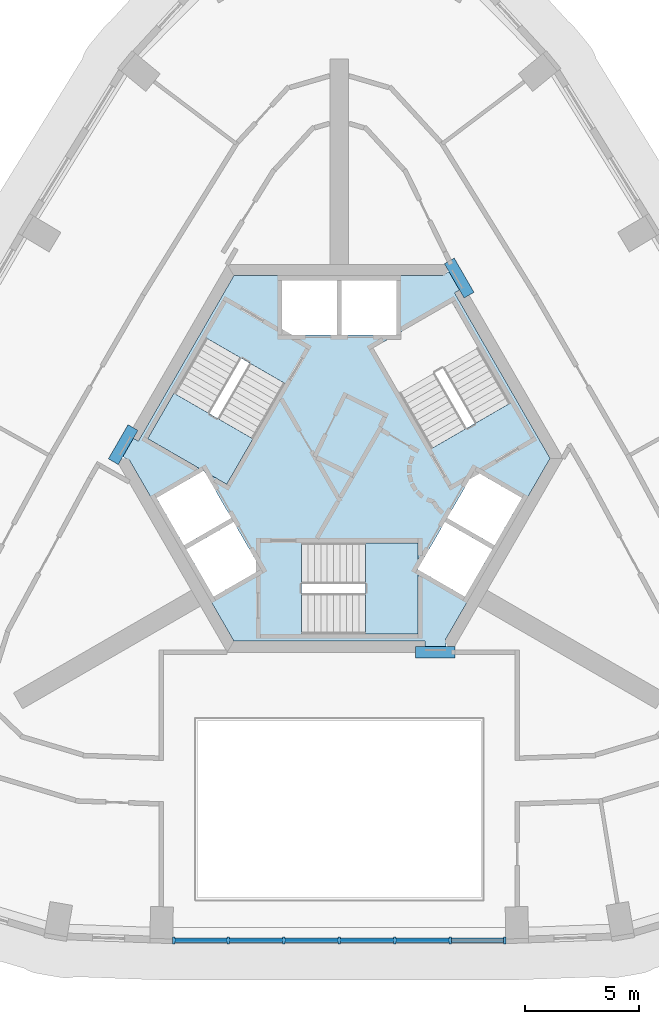
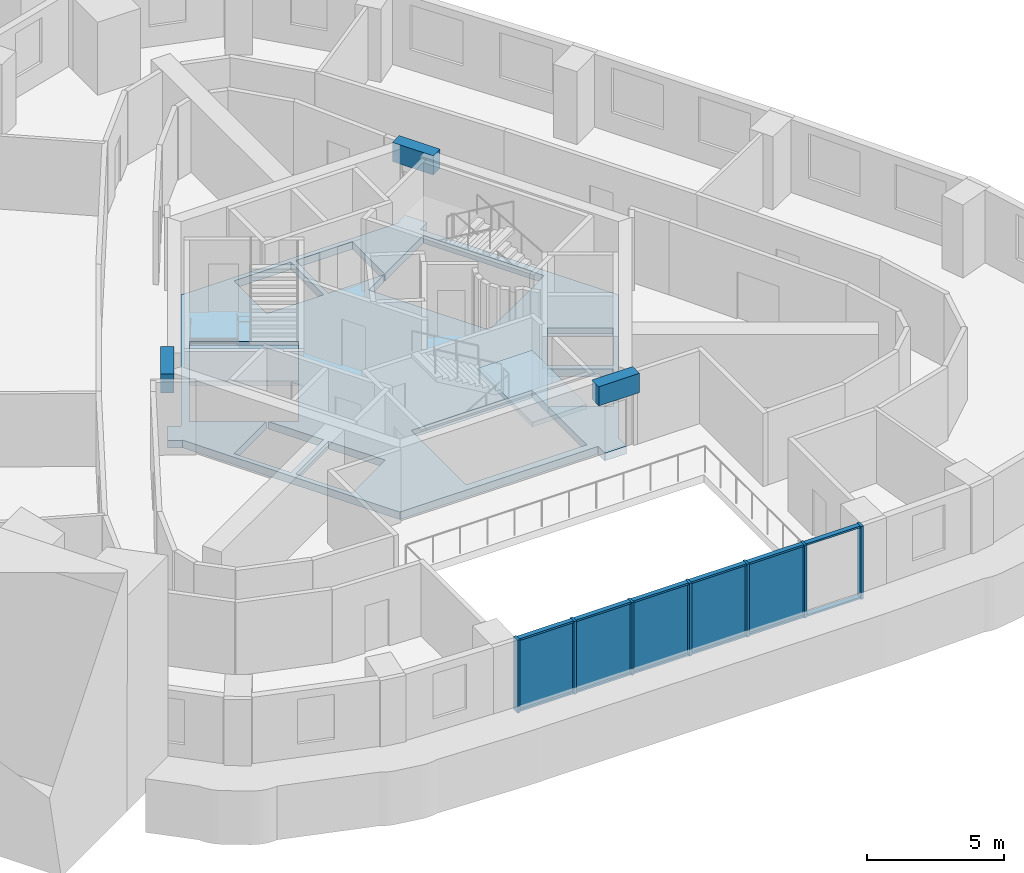
# One storey, part 2 of 11: 19 members, 5 plates, 3 beams, 3 slabs, 3 elements without a shape of their own.
"""IFC4 building model written with IfcOpenShell, lengths in metres."""

from ifc_helpers import new_model, si_unit, direction, frame, origin, origin_2d, place, context, subcontext, project, spatial, polyline, rectangle, outline, extrude, material, layer, layer_set, material_profile, profile_set, type_object, element, aggregate, save


model = new_model("IFC4")

# Units and contexts
model_context = context("Model", 3, precision=1e-05, world=origin(), true_north=direction((0.0, 1.0)))
body_context = subcontext(model_context, "Body", "Model", "MODEL_VIEW")
ifc_project = project(units=[si_unit("LENGTHUNIT", "METRE"), si_unit("AREAUNIT", "SQUARE_METRE"), si_unit("VOLUMEUNIT", "CUBIC_METRE"), si_unit("PLANEANGLEUNIT", "RADIAN"), si_unit("MASSUNIT", "GRAM", prefix="KILO")], contexts=[model_context])

# Site, building, storey
site_placement = place(None, origin())
site = spatial("IfcSite", under=ifc_project, at=site_placement, CompositionType="ELEMENT")
building_placement = place(site_placement, origin())
building = spatial("IfcBuilding", under=site, at=building_placement, Name="Entoto Arch Interchange Tower", CompositionType="ELEMENT")
storey_placement = place(building_placement, frame((0.0, 0.0, 308.0)))
storey = spatial("IfcBuildingStorey", under=building, at=storey_placement, Name="L72", CompositionType="ELEMENT", Elevation=308.0)

# Beams
ifc_material_1 = material(Name="Concrete C40/50", Category="concrete")
ifc_material_profile_1 = material_profile(ifc_material_1, rectangle(XDim=0.5, YDim=0.860107421875, at=origin_2d()))
ifc_profile_set_1 = profile_set([ifc_material_profile_1], Name="Concrete C40/50")
beam_type = type_object("IfcBeamType", Name="Coupling beam RC 500x860 C40/50", PredefinedType="BEAM", material=ifc_profile_set_1)
for number, where, z_axis, x_axis, name in (
    (1, (5.68603515625, 9.65087890625, 2.830078125), (-0.500105721196, 0.865964357019, 0.0), (-0.865964357019, -0.500105721196, 0.0), "Coupling beam NE L72"),
    (2, (-9.035888671875, 3.84912109375, 2.830078125), (-0.500105721196, -0.865964357019, 0.0), (0.865964357019, -0.500105721196, 0.0), "Coupling beam NW L72"),
):
    element("IfcBeam", number, at=place(storey_placement, frame(where, z_axis=z_axis, x_axis=x_axis)), inside=storey, type_object=beam_type, Name=name, PredefinedType="BEAM", context=body_context, shape_type="SweptSolid", body=[
        extrude(rectangle(XDim=0.5, YDim=0.860107421875, at=origin_2d()), origin(), (0.0, 0.0, 1.0), 1.727783203125),
    ])
beam_placement = place(storey_placement, frame((3.35009765625, -6.0, 2.830078125), z_axis=(1.0, 0.0, 0.0), x_axis=(0.0, 1.0, 0.0)))
element("IfcBeam", 3, at=beam_placement, inside=storey, type_object=beam_type, Name="Coupling beam S L72", PredefinedType="BEAM", context=body_context, shape_type="SweptSolid", body=[
    extrude(rectangle(XDim=0.5, YDim=0.860107421875, at=origin_2d()), origin(), (0.0, 0.0, 1.0), 1.725830078125),
])

# Curtain wall, members
ifc_material_2 = material(Name="Aluminium, anodised", Category="aluminium")
curtain_wall_type = type_object("IfcCurtainWallType", Name="CURTAIN WALL ATRIUM", PredefinedType="NOTDEFINED", material=ifc_material_2)
curtain_wall_placement = place(storey_placement, origin())
curtain_wall = element("IfcCurtainWall", 4, at=curtain_wall_placement, inside=storey, type_object=curtain_wall_type, Name="Atrium glazing S-02 L72", PredefinedType="NOTDEFINED")
ifc_material_profile_2 = material_profile(ifc_material_2, rectangle(XDim=0.300048828125, YDim=0.10009765625, at=origin_2d()))
ifc_profile_set_2 = profile_set([ifc_material_profile_2], Name="Aluminium, anodised")
member_type_1 = type_object("IfcMemberType", Name="MULLION ATRIUM 100x300", PredefinedType="MULLION", material=ifc_profile_set_2)
member_1_placement = place(storey_placement, frame((-7.248046875, -18.62109375, 0.0), z_axis=(0.0, 0.0, 1.0), x_axis=(0.0, 1.0, 0.0)))
member_1 = element("IfcMember", 5, at=member_1_placement, type_object=member_type_1, Name="CWA mullion 1", PredefinedType="MULLION", context=body_context, shape_type="SweptSolid", body=[
    extrude(rectangle(XDim=0.300048828125, YDim=0.10009765625, at=origin_2d()), origin(), (0.0, 0.0, 1.0), 3.260009765625),
])
member_2_placement = place(storey_placement, frame((-4.865234375, -18.62109375, 0.0), z_axis=(0.0, 0.0, 1.0), x_axis=(0.0, 1.0, 0.0)))
member_2 = element("IfcMember", 6, at=member_2_placement, type_object=member_type_1, Name="CWA mullion 2", PredefinedType="MULLION", context=body_context, shape_type="SweptSolid", body=[
    extrude(rectangle(XDim=0.300048828125, YDim=0.10009765625, at=origin_2d()), origin(), (0.0, 0.0, 1.0), 3.260009765625),
])
member_3_placement = place(storey_placement, frame((-2.4326171875, -18.62109375, 0.0), z_axis=(0.0, 0.0, 1.0), x_axis=(0.0, 1.0, 0.0)))
member_3 = element("IfcMember", 7, at=member_3_placement, type_object=member_type_1, Name="CWA mullion 3", PredefinedType="MULLION", context=body_context, shape_type="SweptSolid", body=[
    extrude(rectangle(XDim=0.300048828125, YDim=0.10009765625, at=origin_2d()), origin(), (0.0, 0.0, 1.0), 3.260009765625),
])
member_4_placement = place(storey_placement, frame((0.0, -18.62109375, 0.0), z_axis=(0.0, 0.0, 1.0), x_axis=(0.0, 1.0, 0.0)))
member_4 = element("IfcMember", 8, at=member_4_placement, type_object=member_type_1, Name="CWA mullion 4", PredefinedType="MULLION", context=body_context, shape_type="SweptSolid", body=[
    extrude(rectangle(XDim=0.300048828125, YDim=0.10009765625, at=origin_2d()), origin(), (0.0, 0.0, 1.0), 3.260009765625),
])
member_5_placement = place(storey_placement, frame((2.4326171875, -18.62109375, 0.0), z_axis=(0.0, 0.0, 1.0), x_axis=(0.0, 1.0, 0.0)))
member_5 = element("IfcMember", 9, at=member_5_placement, type_object=member_type_1, Name="CWA mullion 5", PredefinedType="MULLION", context=body_context, shape_type="SweptSolid", body=[
    extrude(rectangle(XDim=0.300048828125, YDim=0.10009765625, at=origin_2d()), origin(), (0.0, 0.0, 1.0), 3.260009765625),
])
member_6_placement = place(storey_placement, frame((4.865234375, -18.62109375, 0.0), z_axis=(0.0, 0.0, 1.0), x_axis=(0.0, 1.0, 0.0)))
member_6 = element("IfcMember", 10, at=member_6_placement, type_object=member_type_1, Name="CWA mullion 6", PredefinedType="MULLION", context=body_context, shape_type="SweptSolid", body=[
    extrude(rectangle(XDim=0.300048828125, YDim=0.10009765625, at=origin_2d()), origin(), (0.0, 0.0, 1.0), 3.260009765625),
])
member_7_placement = place(storey_placement, frame((7.248046875, -18.62109375, 0.0), z_axis=(0.0, 0.0, 1.0), x_axis=(0.0, 1.0, 0.0)))
member_7 = element("IfcMember", 11, at=member_7_placement, type_object=member_type_1, Name="CWA mullion 7", PredefinedType="MULLION", context=body_context, shape_type="SweptSolid", body=[
    extrude(rectangle(XDim=0.300048828125, YDim=0.10009765625, at=origin_2d()), origin(), (0.0, 0.0, 1.0), 3.260009765625),
])
ifc_material_profile_3 = material_profile(ifc_material_2, rectangle(XDim=0.199951171875, YDim=0.080078125, at=origin_2d()))
ifc_profile_set_3 = profile_set([ifc_material_profile_3], Name="Aluminium, anodised")
member_type_2 = type_object("IfcMemberType", Name="TRANSOM ATRIUM 80x200", PredefinedType="USERDEFINED", material=ifc_profile_set_3)
member_8_placement = place(storey_placement, frame((-7.197998046875, -18.62109375, 0.0400390625), z_axis=(1.0, 0.0, 0.0), x_axis=(0.0, 1.0, 0.0)))
member_8 = element("IfcMember", 12, at=member_8_placement, type_object=member_type_2, Name="CWA transom 1.1", ObjectType="TRANSOM", PredefinedType="USERDEFINED", context=body_context, shape_type="SweptSolid", body=[
    extrude(rectangle(XDim=0.199951171875, YDim=0.080078125, at=origin_2d()), origin(), (0.0, 0.0, 1.0), 2.28271484375),
])
member_9_placement = place(storey_placement, frame((-7.197998046875, -18.62109375, 3.219970703125), z_axis=(1.0, 0.0, 0.0), x_axis=(0.0, 1.0, 0.0)))
member_9 = element("IfcMember", 13, at=member_9_placement, type_object=member_type_2, Name="CWA transom 1.2", ObjectType="TRANSOM", PredefinedType="USERDEFINED", context=body_context, shape_type="SweptSolid", body=[
    extrude(rectangle(XDim=0.199951171875, YDim=0.080078125, at=origin_2d()), origin(), (0.0, 0.0, 1.0), 2.28271484375),
])
member_10_placement = place(storey_placement, frame((-4.8154296875, -18.62109375, 0.0400390625), z_axis=(1.0, 0.0, 0.0), x_axis=(0.0, 1.0, 0.0)))
member_10 = element("IfcMember", 14, at=member_10_placement, type_object=member_type_2, Name="CWA transom 2.1", ObjectType="TRANSOM", PredefinedType="USERDEFINED", context=body_context, shape_type="SweptSolid", body=[
    extrude(rectangle(XDim=0.199951171875, YDim=0.080078125, at=origin_2d()), origin(), (0.0, 0.0, 1.0), 2.332763671875),
])
member_11_placement = place(storey_placement, frame((-4.8154296875, -18.62109375, 3.219970703125), z_axis=(1.0, 0.0, 0.0), x_axis=(0.0, 1.0, 0.0)))
member_11 = element("IfcMember", 15, at=member_11_placement, type_object=member_type_2, Name="CWA transom 2.2", ObjectType="TRANSOM", PredefinedType="USERDEFINED", context=body_context, shape_type="SweptSolid", body=[
    extrude(rectangle(XDim=0.199951171875, YDim=0.080078125, at=origin_2d()), origin(), (0.0, 0.0, 1.0), 2.332763671875),
])
member_12_placement = place(storey_placement, frame((-2.382568359375, -18.62109375, 0.0400390625), z_axis=(1.0, 0.0, 0.0), x_axis=(0.0, 1.0, 0.0)))
member_12 = element("IfcMember", 16, at=member_12_placement, type_object=member_type_2, Name="CWA transom 3.1", ObjectType="TRANSOM", PredefinedType="USERDEFINED", context=body_context, shape_type="SweptSolid", body=[
    extrude(rectangle(XDim=0.199951171875, YDim=0.080078125, at=origin_2d()), origin(), (0.0, 0.0, 1.0), 2.33251953125),
])
member_13_placement = place(storey_placement, frame((-2.382568359375, -18.62109375, 3.219970703125), z_axis=(1.0, 0.0, 0.0), x_axis=(0.0, 1.0, 0.0)))
member_13 = element("IfcMember", 17, at=member_13_placement, type_object=member_type_2, Name="CWA transom 3.2", ObjectType="TRANSOM", PredefinedType="USERDEFINED", context=body_context, shape_type="SweptSolid", body=[
    extrude(rectangle(XDim=0.199951171875, YDim=0.080078125, at=origin_2d()), origin(), (0.0, 0.0, 1.0), 2.33251953125),
])
member_14_placement = place(storey_placement, frame((0.050048828125, -18.62109375, 0.0400390625), z_axis=(1.0, 0.0, 0.0), x_axis=(0.0, 1.0, 0.0)))
member_14 = element("IfcMember", 18, at=member_14_placement, type_object=member_type_2, Name="CWA transom 4.1", ObjectType="TRANSOM", PredefinedType="USERDEFINED", context=body_context, shape_type="SweptSolid", body=[
    extrude(rectangle(XDim=0.199951171875, YDim=0.080078125, at=origin_2d()), origin(), (0.0, 0.0, 1.0), 2.33251953125),
])
member_15_placement = place(storey_placement, frame((0.050048828125, -18.62109375, 3.219970703125), z_axis=(1.0, 0.0, 0.0), x_axis=(0.0, 1.0, 0.0)))
member_15 = element("IfcMember", 19, at=member_15_placement, type_object=member_type_2, Name="CWA transom 4.2", ObjectType="TRANSOM", PredefinedType="USERDEFINED", context=body_context, shape_type="SweptSolid", body=[
    extrude(rectangle(XDim=0.199951171875, YDim=0.080078125, at=origin_2d()), origin(), (0.0, 0.0, 1.0), 2.33251953125),
])
member_16_placement = place(storey_placement, frame((2.482666015625, -18.62109375, 0.0400390625), z_axis=(1.0, 0.0, 0.0), x_axis=(0.0, 1.0, 0.0)))
member_16 = element("IfcMember", 20, at=member_16_placement, type_object=member_type_2, Name="CWA transom 5.1", ObjectType="TRANSOM", PredefinedType="USERDEFINED", context=body_context, shape_type="SweptSolid", body=[
    extrude(rectangle(XDim=0.199951171875, YDim=0.080078125, at=origin_2d()), origin(), (0.0, 0.0, 1.0), 2.332763671875),
])
member_17_placement = place(storey_placement, frame((2.482666015625, -18.62109375, 3.219970703125), z_axis=(1.0, 0.0, 0.0), x_axis=(0.0, 1.0, 0.0)))
member_17 = element("IfcMember", 21, at=member_17_placement, type_object=member_type_2, Name="CWA transom 5.2", ObjectType="TRANSOM", PredefinedType="USERDEFINED", context=body_context, shape_type="SweptSolid", body=[
    extrude(rectangle(XDim=0.199951171875, YDim=0.080078125, at=origin_2d()), origin(), (0.0, 0.0, 1.0), 2.332763671875),
])
member_18_placement = place(storey_placement, frame((4.915283203125, -18.62109375, 0.0400390625), z_axis=(1.0, 0.0, 0.0), x_axis=(0.0, 1.0, 0.0)))
member_18 = element("IfcMember", 22, at=member_18_placement, type_object=member_type_2, Name="CWA transom 6.1", ObjectType="TRANSOM", PredefinedType="USERDEFINED", context=body_context, shape_type="SweptSolid", body=[
    extrude(rectangle(XDim=0.199951171875, YDim=0.080078125, at=origin_2d()), origin(), (0.0, 0.0, 1.0), 2.28271484375),
])
member_19_placement = place(storey_placement, frame((4.915283203125, -18.62109375, 3.219970703125), z_axis=(1.0, 0.0, 0.0), x_axis=(0.0, 1.0, 0.0)))
member_19 = element("IfcMember", 23, at=member_19_placement, type_object=member_type_2, Name="CWA transom 6.2", ObjectType="TRANSOM", PredefinedType="USERDEFINED", context=body_context, shape_type="SweptSolid", body=[
    extrude(rectangle(XDim=0.199951171875, YDim=0.080078125, at=origin_2d()), origin(), (0.0, 0.0, 1.0), 2.28271484375),
])

# Slab
ifc_layer_1 = layer(ifc_material_1, 0.340087890625)
ifc_layer_set_1 = layer_set([ifc_layer_1], Name="Concrete C40/50")
slab_type_1 = type_object("IfcSlabType", Name="Core floor slab 340 C40/50", PredefinedType="FLOOR", material=ifc_layer_set_1)
slab_1_placement = place(storey_placement, frame((0.0, 0.0, -0.340087890625)))
element("IfcSlab", 24, at=slab_1_placement, inside=storey, type_object=slab_type_1, Name="Core floor slab L72", PredefinedType="FLOOR", context=body_context, shape_type="SweptSolid", body=[
    extrude(outline(polyline([(-9.208984375, 2.449951171875), (-9.222900390625, 2.425048828125), (-9.699951171875, 2.699951171875), (-9.236083984375, 3.501953125), (-8.802978515625, 3.2529296875), (-4.618896484375, 10.5), (4.56103515625, 10.5), (4.5458984375, 10.52490234375), (5.02197265625, 10.800048828125), (5.486083984375, 9.998046875), (5.052978515625, 9.748046875), (9.238037109375, 2.5), (4.64794921875, -5.449951171875), (4.676025390625, -5.449951171875), (4.676025390625, -6.0), (3.75, -6.0), (3.75, -5.5), (-4.618896484375, -5.5), (-9.208984375, 2.449951171875)]), holes=[polyline([(-1.64990234375, -5.199951171875), (3.449951171875, -5.199951171875), (3.449951171875, -2.3779296875), (5.5048828125, -3.56494140625), (6.705078125, -1.487060546875), (4.626953125, -0.287109375), (3.449951171875, -2.324951171875), (3.449951171875, -1.199951171875), (-1.64990234375, -1.199951171875), (-1.64990234375, -5.199951171875)]), polyline([(-4.626953125, -0.287109375), (-6.705078125, -1.487060546875), (-5.5048828125, -3.56494140625), (-3.427001953125, -2.364990234375), (-4.626953125, -0.287109375)]), polyline([(-5.904052734375, 1.925048828125), (-4.928955078125, 1.362060546875), (-2.37890625, 5.779052734375), (-5.843017578125, 7.779052734375), (-8.39306640625, 3.362060546875), (-5.949951171875, 1.951904296875), (-8.0048828125, 0.764892578125), (-6.804931640625, -1.31298828125), (-4.72705078125, -0.113037109375), (-5.904052734375, 1.925048828125)]), polyline([(4.72705078125, -0.113037109375), (6.804931640625, -1.31298828125), (8.0048828125, 0.764892578125), (5.927001953125, 1.965087890625), (4.72705078125, -0.113037109375)]), polyline([(2.5, 7.927001953125), (2.5, 10.300048828125), (0.10009765625, 10.300048828125), (0.10009765625, 7.89990234375), (2.452880859375, 7.89990234375), (1.47900390625, 7.337890625), (4.029052734375, 2.9208984375), (7.492919921875, 4.9208984375), (4.943115234375, 9.337890625), (2.5, 7.927001953125)]), polyline([(-2.5, 7.89990234375), (-0.10009765625, 7.89990234375), (-0.10009765625, 10.300048828125), (-2.5, 10.300048828125), (-2.5, 7.89990234375)])]), origin(), (0.0, 0.0, 1.0), 0.340087890625),
])

# Stair, slab
stair_type = type_object("IfcStairType", Name="EXIT STAIR RC 1800", PredefinedType="HALF_TURN_STAIR", material=ifc_material_1)
stair_1_placement = place(storey_placement, origin())
stair_1 = element("IfcStair", 25, at=stair_1_placement, inside=storey, type_object=stair_type, Name="L72 Exit stair S", PredefinedType="HALF_TURN_STAIR")
ifc_layer_2 = layer(ifc_material_1, 0.199951171875)
ifc_layer_set_2 = layer_set([ifc_layer_2], Name="Concrete C40/50")
slab_type_2 = type_object("IfcSlabType", Name="EXIT STAIR LANDING RC 200", PredefinedType="LANDING", material=ifc_layer_set_2)
slab_2_placement = place(storey_placement, frame((0.0, 0.0, 1.60009765625)))
slab_2 = element("IfcSlab", 26, at=slab_2_placement, type_object=slab_type_2, Name="ST-S landing 1", PredefinedType="LANDING", context=body_context, shape_type="SweptSolid", body=[
    extrude(outline(polyline([(1.14990234375, -5.199951171875), (3.449951171875, -5.199951171875), (3.449951171875, -1.199951171875), (1.14990234375, -1.199951171875), (1.14990234375, -5.199951171875)])), origin(), (0.0, 0.0, 1.0), 0.199951171875),
])
aggregate(stair_1, [slab_2])

stair_2_placement = place(storey_placement, origin())
stair_2 = element("IfcStair", 27, at=stair_2_placement, inside=storey, type_object=stair_type, Name="L72 Exit stair NW", PredefinedType="HALF_TURN_STAIR")
slab_3_placement = place(storey_placement, frame((0.0, 0.0, 1.60009765625)))
slab_3 = element("IfcSlab", 28, at=slab_3_placement, type_object=slab_type_2, Name="ST-NW landing 1", PredefinedType="LANDING", context=body_context, shape_type="SweptSolid", body=[
    extrude(outline(polyline([(-7.243408203125, 5.35400390625), (-8.393310546875, 3.3623046875), (-4.92919921875, 1.3623046875), (-3.779296875, 3.35400390625), (-7.243408203125, 5.35400390625)])), origin(), (0.0, 0.0, 1.0), 0.199951171875),
])
aggregate(stair_2, [slab_3])

# Plate
ifc_material_3 = material(Name="Clear glass, low-e double glazed", Category="glass")
ifc_layer_3 = layer(ifc_material_3, 0.031982421875)
ifc_layer_set_3 = layer_set([ifc_layer_3], Name="Clear glass, low-e double glazed")
plate_type = type_object("IfcPlateType", Name="GLAZING PANEL ATRIUM 32", PredefinedType="CURTAIN_PANEL", material=ifc_layer_set_3)
plate_1_placement = place(storey_placement, frame((-6.056640625, -18.62109375, 0.079833984375), z_axis=(0.0, 0.0, 1.0), x_axis=(1.0, 0.0, 0.0)))
plate_1 = element("IfcPlate", 29, at=plate_1_placement, type_object=plate_type, Name="CWA panel 1.1", PredefinedType="CURTAIN_PANEL", context=body_context, shape_type="SweptSolid", body=[
    extrude(rectangle(XDim=2.28271484375, YDim=0.031982421875, at=origin_2d()), origin(), (0.0, 0.0, 1.0), 3.10009765625),
])

plate_2_placement = place(storey_placement, frame((-3.64892578125, -18.62109375, 0.079833984375), z_axis=(0.0, 0.0, 1.0), x_axis=(1.0, 0.0, 0.0)))
plate_2 = element("IfcPlate", 30, at=plate_2_placement, type_object=plate_type, Name="CWA panel 2.1", PredefinedType="CURTAIN_PANEL", context=body_context, shape_type="SweptSolid", body=[
    extrude(rectangle(XDim=2.332763671875, YDim=0.031982421875, at=origin_2d()), origin(), (0.0, 0.0, 1.0), 3.10009765625),
])

plate_3_placement = place(storey_placement, frame((-1.21630859375, -18.62109375, 0.079833984375), z_axis=(0.0, 0.0, 1.0), x_axis=(1.0, 0.0, 0.0)))
plate_3 = element("IfcPlate", 31, at=plate_3_placement, type_object=plate_type, Name="CWA panel 3.1", PredefinedType="CURTAIN_PANEL", context=body_context, shape_type="SweptSolid", body=[
    extrude(rectangle(XDim=2.332763671875, YDim=0.031982421875, at=origin_2d()), origin(), (0.0, 0.0, 1.0), 3.10009765625),
])

plate_4_placement = place(storey_placement, frame((1.21630859375, -18.62109375, 0.079833984375), z_axis=(0.0, 0.0, 1.0), x_axis=(1.0, 0.0, 0.0)))
plate_4 = element("IfcPlate", 32, at=plate_4_placement, type_object=plate_type, Name="CWA panel 4.1", PredefinedType="CURTAIN_PANEL", context=body_context, shape_type="SweptSolid", body=[
    extrude(rectangle(XDim=2.332763671875, YDim=0.031982421875, at=origin_2d()), origin(), (0.0, 0.0, 1.0), 3.10009765625),
])

plate_5_placement = place(storey_placement, frame((3.64892578125, -18.62109375, 0.079833984375), z_axis=(0.0, 0.0, 1.0), x_axis=(1.0, 0.0, 0.0)))
plate_5 = element("IfcPlate", 33, at=plate_5_placement, type_object=plate_type, Name="CWA panel 5.1", PredefinedType="CURTAIN_PANEL", context=body_context, shape_type="SweptSolid", body=[
    extrude(rectangle(XDim=2.332763671875, YDim=0.031982421875, at=origin_2d()), origin(), (0.0, 0.0, 1.0), 3.10009765625),
])

aggregate(curtain_wall, [member_1, member_2, member_3, member_4, member_5, member_6, member_7, member_8, member_9, plate_1, member_10, member_11, plate_2, member_12, member_13, plate_3, member_14, member_15, plate_4, member_16, member_17, plate_5, member_18, member_19])

save(model, "model.ifc")
